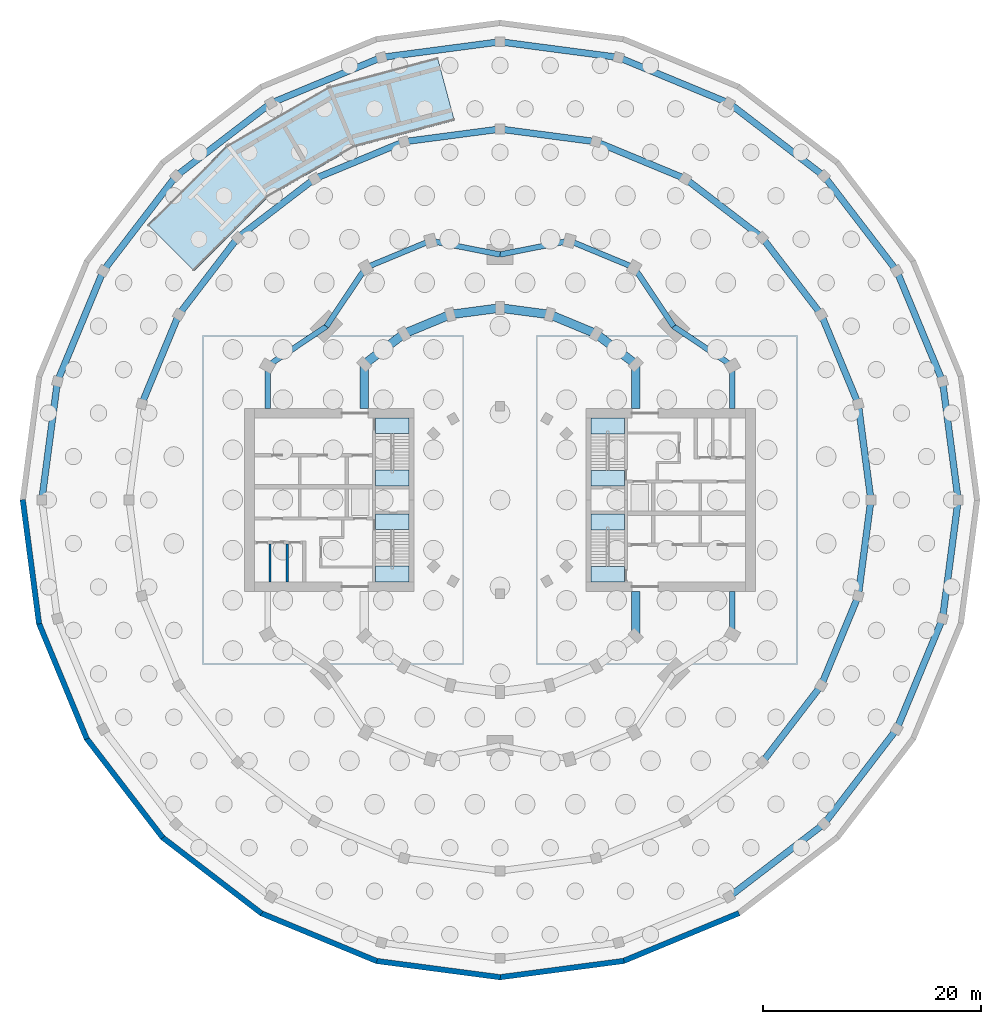
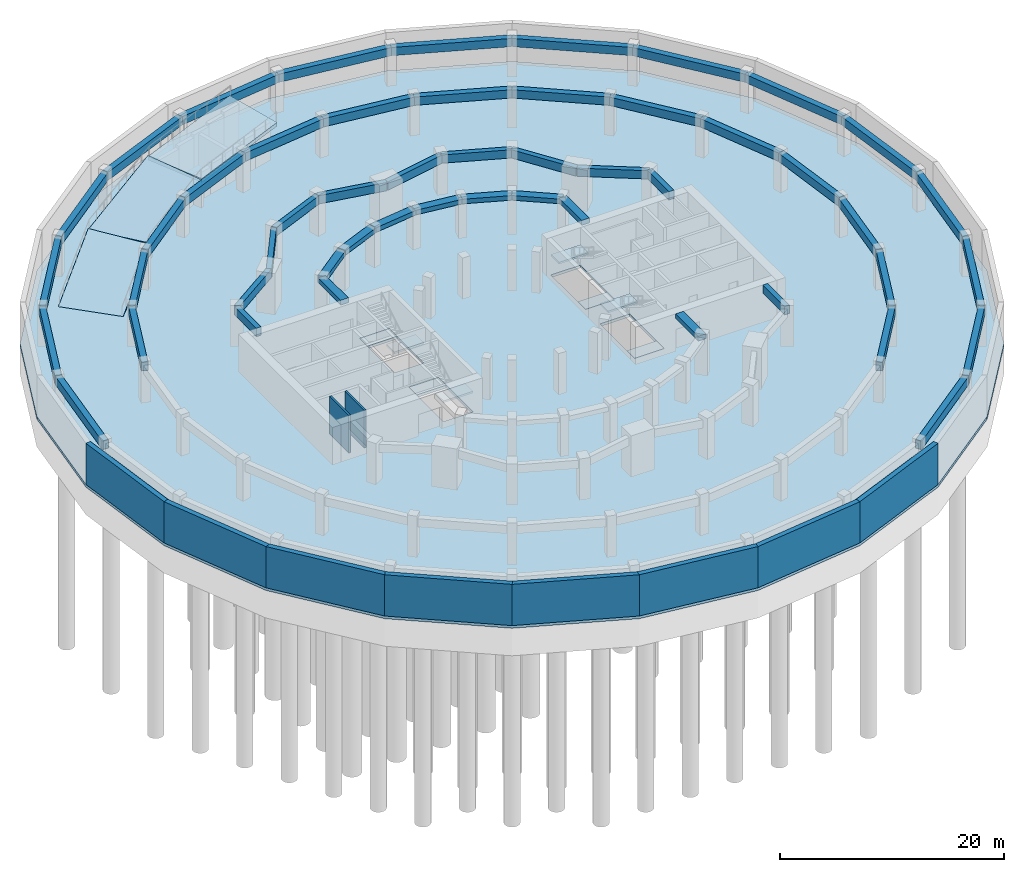
# One storey, part 3 of 9: 50 beams, 12 slabs, 10 walls, 5 elements without a shape of their own.
"""IFC4 building model written with IfcOpenShell, lengths in metres."""

from ifc_helpers import new_model, si_unit, direction, frame, frame_2d, origin, origin_2d, place, context, subcontext, project, spatial, polyline, rectangle, outline, extrude, material, layer, layer_set, material_profile, profile_set, type_object, element, aggregate, save


model = new_model("IFC4")

# Units and contexts
model_context = context("Model", 3, precision=1e-05, world=origin(), true_north=direction((0.0, 1.0)))
body_context = subcontext(model_context, "Body", "Model", "MODEL_VIEW")
ifc_project = project(units=[si_unit("LENGTHUNIT", "METRE"), si_unit("AREAUNIT", "SQUARE_METRE"), si_unit("VOLUMEUNIT", "CUBIC_METRE"), si_unit("PLANEANGLEUNIT", "RADIAN"), si_unit("MASSUNIT", "GRAM", prefix="KILO")], contexts=[model_context])

# Site, building, storey
site_placement = place(None, origin())
site = spatial("IfcSite", under=ifc_project, at=site_placement, CompositionType="ELEMENT")
building_placement = place(site_placement, origin())
building = spatial("IfcBuilding", under=site, at=building_placement, Name="Torre Brocal", CompositionType="ELEMENT")
storey_placement = place(building_placement, frame((0.0, 0.0, -9.0)))
storey = spatial("IfcBuildingStorey", under=building, at=storey_placement, Name="B2", CompositionType="ELEMENT", Elevation=-9.0)

# Beams
ifc_material_1 = material(Name="Concrete C50", Category="concrete")
ifc_material_profile_1 = material_profile(ifc_material_1, rectangle(XDim=0.60009765625, YDim=0.89990234375, at=origin_2d()), Name="RC 600X900")
ifc_profile_set_1 = profile_set([ifc_material_profile_1], Name="Concrete C50")
beam_type_1 = type_object("IfcBeamType", Name="RC BEAM 600X900 C50 TOP 4100", PredefinedType="BEAM", material=ifc_profile_set_1)
for number, where, z_axis, x_axis, name in (
    (1, (122.0, 75.0, 3.64990234375), (-0.130529968843, 0.991444364165, 0.0), (-0.991444364165, -0.130529968843, 0.0), "Beam BT-01"),
    (2, (120.56884765625, 85.870361328125, 3.64990234375), (-0.382680868131, 0.923880594648, 0.0), (-0.923880594648, -0.382680868131, 0.0), "Beam BT-01"),
    (3, (116.373046875, 96.0, 3.64990234375), (-0.608760122032, 0.793354343168, 0.0), (-0.793354343168, -0.608760122032, 0.0), "Beam BT-01"),
    (4, (109.698486328125, 104.698486328125, 3.64990234375), (-0.793354343168, 0.608760122032, 0.0), (-0.608760122032, -0.793354343168, 0.0), "Beam BT-01"),
    (5, (101.0, 111.373046875, 3.64990234375), (-0.923880594648, 0.382680868131, 0.0), (-0.382680868131, -0.923880594648, 0.0), "Beam BT-01"),
    (6, (90.870361328125, 115.56884765625, 3.64990234375), (-0.991444364165, 0.130529968843, 0.0), (-0.130529968843, -0.991444364165, 0.0), "Beam BT-01"),
    (7, (80.0, 117.0, 3.64990234375), (-0.991444364165, -0.130529968843, 0.0), (0.130529968843, -0.991444364165, 0.0), "Beam BT-01"),
    (8, (69.129638671875, 115.56884765625, 3.64990234375), (-0.923880594648, -0.382680868131, 0.0), (0.382680868131, -0.923880594648, 0.0), "Beam BT-01"),
    (9, (59.0, 111.373046875, 3.64990234375), (-0.793354343168, -0.608760122032, 0.0), (0.608760122032, -0.793354343168, 0.0), "Beam BT-01"),
    (10, (50.301513671875, 104.698486328125, 3.64990234375), (-0.608760122032, -0.793354343168, 0.0), (0.793354343168, -0.608760122032, 0.0), "Beam BT-01"),
    (11, (43.626953125, 96.0, 3.64990234375), (-0.382680868131, -0.923880594648, 0.0), (0.923880594648, -0.382680868131, 0.0), "Beam BT-01"),
    (12, (39.43115234375, 85.870361328125, 3.64990234375), (-0.130529968843, -0.991444364165, 0.0), (0.991444364165, -0.130529968843, 0.0), "Beam BT-01"),
    (13, (101.0, 38.626953125, 3.64990234375), (0.793354343168, 0.608760122032, 0.0), (-0.608760122032, 0.793354343168, 0.0), "Beam BT-01"),
    (14, (109.698486328125, 45.301513671875, 3.64990234375), (0.608760122032, 0.793354343168, 0.0), (-0.793354343168, 0.608760122032, 0.0), "Beam BT-01"),
    (15, (116.373046875, 54.0, 3.64990234375), (0.382680868131, 0.923880594648, 0.0), (-0.923880594648, 0.382680868131, 0.0), "Beam BT-01"),
    (16, (120.56884765625, 64.129638671875, 3.64990234375), (0.130529968843, 0.991444364165, 0.0), (-0.991444364165, 0.130529968843, 0.0), "Beam BT-01"),
):
    element("IfcBeam", number, at=place(storey_placement, frame(where, z_axis=z_axis, x_axis=x_axis)), inside=storey, type_object=beam_type_1, Name=name, PredefinedType="BEAM", context=body_context, shape_type="SweptSolid", body=[
        extrude(rectangle(XDim=0.60009765625, YDim=0.89990234375, at=origin_2d()), origin(), (0.0, 0.0, 1.0), 10.964111328125),
    ])
beam_1_placement = place(storey_placement, frame((114.0, 75.0, 3.64990234375), z_axis=(-0.130518550679, 0.991445867372, 0.0), x_axis=(-0.991445867372, -0.130518550679, 0.0)))
element("IfcBeam", 17, at=beam_1_placement, inside=storey, type_object=beam_type_1, Name="Beam BT-01", PredefinedType="BEAM", context=body_context, shape_type="SweptSolid", body=[
    extrude(rectangle(XDim=0.60009765625, YDim=0.89990234375, at=origin_2d()), origin(), (0.0, 0.0, 1.0), 8.875732421875),
])
beam_2_placement = place(storey_placement, frame((112.841552734375, 83.7998046875, 3.64990234375), z_axis=(-0.382692703012, 0.923875692429, 0.0), x_axis=(-0.923875692429, -0.382692703012, 0.0)))
element("IfcBeam", 18, at=beam_2_placement, inside=storey, type_object=beam_type_1, Name="Beam BT-01", PredefinedType="BEAM", context=body_context, shape_type="SweptSolid", body=[
    extrude(rectangle(XDim=0.60009765625, YDim=0.89990234375, at=origin_2d()), origin(), (0.0, 0.0, 1.0), 8.8759765625),
])
for number, where, z_axis, x_axis, name in (
    (19, (109.44482421875, 92.0, 3.64990234375), (-0.608743902882, 0.793366788253, 0.0), (-0.793366788253, -0.608743902882, 0.0), "Beam BT-01"),
    (20, (104.041748046875, 99.041748046875, 3.64990234375), (-0.793366788253, 0.608743902882, 0.0), (-0.608743902882, -0.793366788253, 0.0), "Beam BT-01"),
):
    element("IfcBeam", number, at=place(storey_placement, frame(where, z_axis=z_axis, x_axis=x_axis)), inside=storey, type_object=beam_type_1, Name=name, PredefinedType="BEAM", context=body_context, shape_type="SweptSolid", body=[
        extrude(rectangle(XDim=0.60009765625, YDim=0.89990234375, at=origin_2d()), origin(), (0.0, 0.0, 1.0), 8.875732421875),
    ])
beam_3_placement = place(storey_placement, frame((97.0, 104.44482421875, 3.64990234375), z_axis=(-0.923875692429, 0.382692703012, 0.0), x_axis=(-0.382692703012, -0.923875692429, 0.0)))
element("IfcBeam", 21, at=beam_3_placement, inside=storey, type_object=beam_type_1, Name="Beam BT-01", PredefinedType="BEAM", context=body_context, shape_type="SweptSolid", body=[
    extrude(rectangle(XDim=0.60009765625, YDim=0.89990234375, at=origin_2d()), origin(), (0.0, 0.0, 1.0), 8.8759765625),
])
for number, where, z_axis, x_axis, name in (
    (22, (88.7998046875, 107.841552734375, 3.64990234375), (-0.991445867372, 0.130518550679, 0.0), (-0.130518550679, -0.991445867372, 0.0), "Beam BT-01"),
    (23, (80.0, 109.0, 3.64990234375), (-0.991445867372, -0.130518550679, 0.0), (0.130518550679, -0.991445867372, 0.0), "Beam BT-01"),
):
    element("IfcBeam", number, at=place(storey_placement, frame(where, z_axis=z_axis, x_axis=x_axis)), inside=storey, type_object=beam_type_1, Name=name, PredefinedType="BEAM", context=body_context, shape_type="SweptSolid", body=[
        extrude(rectangle(XDim=0.60009765625, YDim=0.89990234375, at=origin_2d()), origin(), (0.0, 0.0, 1.0), 8.875732421875),
    ])
beam_4_placement = place(storey_placement, frame((71.2001953125, 107.841552734375, 3.64990234375), z_axis=(-0.923875692429, -0.382692703012, 0.0), x_axis=(0.382692703012, -0.923875692429, 0.0)))
element("IfcBeam", 24, at=beam_4_placement, inside=storey, type_object=beam_type_1, Name="Beam BT-01", PredefinedType="BEAM", context=body_context, shape_type="SweptSolid", body=[
    extrude(rectangle(XDim=0.60009765625, YDim=0.89990234375, at=origin_2d()), origin(), (0.0, 0.0, 1.0), 8.8759765625),
])
for number, where, z_axis, x_axis, name in (
    (25, (63.0, 104.44482421875, 3.64990234375), (-0.793366788253, -0.608743902882, 0.0), (0.608743902882, -0.793366788253, 0.0), "Beam BT-01"),
    (26, (55.958251953125, 99.041748046875, 3.64990234375), (-0.608743902882, -0.793366788253, 0.0), (0.793366788253, -0.608743902882, 0.0), "Beam BT-01"),
):
    element("IfcBeam", number, at=place(storey_placement, frame(where, z_axis=z_axis, x_axis=x_axis)), inside=storey, type_object=beam_type_1, Name=name, PredefinedType="BEAM", context=body_context, shape_type="SweptSolid", body=[
        extrude(rectangle(XDim=0.60009765625, YDim=0.89990234375, at=origin_2d()), origin(), (0.0, 0.0, 1.0), 8.875732421875),
    ])
beam_5_placement = place(storey_placement, frame((50.55517578125, 92.0, 3.64990234375), z_axis=(-0.382692703012, -0.923875692429, 0.0), x_axis=(0.923875692429, -0.382692703012, 0.0)))
element("IfcBeam", 27, at=beam_5_placement, inside=storey, type_object=beam_type_1, Name="Beam BT-01", PredefinedType="BEAM", context=body_context, shape_type="SweptSolid", body=[
    extrude(rectangle(XDim=0.60009765625, YDim=0.89990234375, at=origin_2d()), origin(), (0.0, 0.0, 1.0), 8.8759765625),
])
beam_6_placement = place(storey_placement, frame((104.041748046875, 50.958251953125, 3.64990234375), z_axis=(0.608743902882, 0.793366788253, 0.0), x_axis=(-0.793366788253, 0.608743902882, 0.0)))
element("IfcBeam", 28, at=beam_6_placement, inside=storey, type_object=beam_type_1, Name="Beam BT-01", PredefinedType="BEAM", context=body_context, shape_type="SweptSolid", body=[
    extrude(rectangle(XDim=0.60009765625, YDim=0.89990234375, at=origin_2d()), origin(), (0.0, 0.0, 1.0), 8.875732421875),
])
beam_7_placement = place(storey_placement, frame((109.44482421875, 58.0, 3.64990234375), z_axis=(0.382692703012, 0.923875692429, 0.0), x_axis=(-0.923875692429, 0.382692703012, 0.0)))
element("IfcBeam", 29, at=beam_7_placement, inside=storey, type_object=beam_type_1, Name="Beam BT-01", PredefinedType="BEAM", context=body_context, shape_type="SweptSolid", body=[
    extrude(rectangle(XDim=0.60009765625, YDim=0.89990234375, at=origin_2d()), origin(), (0.0, 0.0, 1.0), 8.8759765625),
])
beam_8_placement = place(storey_placement, frame((112.841552734375, 66.2001953125, 3.64990234375), z_axis=(0.130518550679, 0.991445867372, 0.0), x_axis=(-0.991445867372, 0.130518550679, 0.0)))
element("IfcBeam", 30, at=beam_8_placement, inside=storey, type_object=beam_type_1, Name="Beam BT-01", PredefinedType="BEAM", context=body_context, shape_type="SweptSolid", body=[
    extrude(rectangle(XDim=0.60009765625, YDim=0.89990234375, at=origin_2d()), origin(), (0.0, 0.0, 1.0), 8.875732421875),
])
ifc_material_2 = material(Name="Concrete C50", Category="concrete")
ifc_material_profile_2 = material_profile(ifc_material_2, rectangle(XDim=0.800048828125, YDim=0.5, at=origin_2d()), Name="RC 800X500")
ifc_profile_set_2 = profile_set([ifc_material_profile_2], Name="Concrete C50")
beam_type_2 = type_object("IfcBeamType", Name="RC BEAM 800X500 C50 TOP 4100", PredefinedType="BEAM", material=ifc_profile_set_2)
beam_9_placement = place(storey_placement, frame((92.445068359375, 87.445068359375, 3.85009765625), z_axis=(-0.793358265959, 0.6087550097, 0.0), x_axis=(-0.6087550097, -0.793358265959, 0.0)))
element("IfcBeam", 31, at=beam_9_placement, inside=storey, type_object=beam_type_2, Name="Beam BT-02", PredefinedType="BEAM", context=body_context, shape_type="SweptSolid", body=[
    extrude(rectangle(XDim=0.800048828125, YDim=0.5, at=origin_2d()), origin(), (0.0, 0.0, 1.0), 4.594482421875),
])
beam_10_placement = place(storey_placement, frame((88.800048828125, 90.241943359375, 3.85009765625), z_axis=(-0.923878240166, 0.382686552348, 0.0), x_axis=(-0.382686552348, -0.923878240166, 0.0)))
element("IfcBeam", 32, at=beam_10_placement, inside=storey, type_object=beam_type_2, Name="Beam BT-02", PredefinedType="BEAM", context=body_context, shape_type="SweptSolid", body=[
    extrude(rectangle(XDim=0.800048828125, YDim=0.5, at=origin_2d()), origin(), (0.0, 0.0, 1.0), 4.5947265625),
])
for number, where, z_axis, x_axis, name in (
    (33, (84.55517578125, 92.000244140625, 3.85009765625), (-0.991440544449, 0.130558978332, 0.0), (-0.130558978332, -0.991440544449, 0.0), "Beam BT-02"),
    (34, (80.0, 92.60009765625, 3.85009765625), (-0.991440544449, -0.130558978332, 0.0), (0.130558978332, -0.991440544449, 0.0), "Beam BT-02"),
):
    element("IfcBeam", number, at=place(storey_placement, frame(where, z_axis=z_axis, x_axis=x_axis)), inside=storey, type_object=beam_type_2, Name=name, PredefinedType="BEAM", context=body_context, shape_type="SweptSolid", body=[
        extrude(rectangle(XDim=0.800048828125, YDim=0.5, at=origin_2d()), origin(), (0.0, 0.0, 1.0), 4.594482421875),
    ])
beam_11_placement = place(storey_placement, frame((75.44482421875, 92.000244140625, 3.85009765625), z_axis=(-0.923878240166, -0.382686552348, 0.0), x_axis=(0.382686552348, -0.923878240166, 0.0)))
element("IfcBeam", 35, at=beam_11_placement, inside=storey, type_object=beam_type_2, Name="Beam BT-02", PredefinedType="BEAM", context=body_context, shape_type="SweptSolid", body=[
    extrude(rectangle(XDim=0.800048828125, YDim=0.5, at=origin_2d()), origin(), (0.0, 0.0, 1.0), 4.5947265625),
])
beam_12_placement = place(storey_placement, frame((71.199951171875, 90.241943359375, 3.85009765625), z_axis=(-0.793358265959, -0.6087550097, 0.0), x_axis=(0.6087550097, -0.793358265959, 0.0)))
element("IfcBeam", 36, at=beam_12_placement, inside=storey, type_object=beam_type_2, Name="Beam BT-02", PredefinedType="BEAM", context=body_context, shape_type="SweptSolid", body=[
    extrude(rectangle(XDim=0.800048828125, YDim=0.5, at=origin_2d()), origin(), (0.0, 0.0, 1.0), 4.594482421875),
])
for number, where, z_axis, x_axis, name in (
    (37, (67.554931640625, 87.445068359375, 3.85009765625), (0.0, -1.0, 0.0), (1.0, 0.0, 0.0), "Beam BT-02"),
    (38, (92.445068359375, 62.554931640625, 3.85009765625), (0.0, 1.0, 0.0), (-1.0, 0.0, 0.0), "Beam BT-02"),
    (39, (92.445068359375, 87.445068359375, 3.85009765625), (0.0, -1.0, 0.0), (1.0, 0.0, 0.0), "Beam BT-02"),
):
    element("IfcBeam", number, at=place(storey_placement, frame(where, z_axis=z_axis, x_axis=x_axis)), inside=storey, type_object=beam_type_2, Name=name, PredefinedType="BEAM", context=body_context, shape_type="SweptSolid", body=[
        extrude(rectangle(XDim=0.800048828125, YDim=0.5, at=origin_2d()), origin(), (0.0, 0.0, 1.0), 4.045166015625),
    ])
ifc_material_3 = material(Name="Concrete C50", Category="concrete")
ifc_material_profile_3 = material_profile(ifc_material_3, rectangle(XDim=0.5, YDim=0.89990234375, at=origin_2d()), Name="RC 500X900")
ifc_profile_set_3 = profile_set([ifc_material_profile_3], Name="Concrete C50")
beam_type_3 = type_object("IfcBeamType", Name="RC SPANDREL BEAM 500X900 C50 TOP 4100", PredefinedType="SPANDREL", material=ifc_profile_set_3)
for number, where, z_axis, x_axis, name in (
    (40, (101.30419921875, 87.300048828125, 3.64990234375), (-0.831076844476, 0.556157602282, 0.0), (-0.556157602282, -0.831076844476, 0.0), "Beam BT-03"),
    (41, (95.909912109375, 90.909912109375, 3.64990234375), (-0.556157602282, 0.831076844476, 0.0), (-0.831076844476, -0.556157602282, 0.0), "Beam BT-03"),
):
    element("IfcBeam", number, at=place(storey_placement, frame(where, z_axis=z_axis, x_axis=x_axis)), inside=storey, type_object=beam_type_3, Name=name, PredefinedType="SPANDREL", context=body_context, shape_type="SweptSolid", body=[
        extrude(rectangle(XDim=0.5, YDim=0.89990234375, at=origin_2d()), origin(), (0.0, 0.0, 1.0), 6.49072265625),
    ])
beam_13_placement = place(storey_placement, frame((92.300048828125, 96.30419921875, 3.64990234375), z_axis=(-0.923882462513, 0.382676358639, 0.0), x_axis=(-0.382676358639, -0.923882462513, 0.0)))
element("IfcBeam", 42, at=beam_13_placement, inside=storey, type_object=beam_type_3, Name="Beam BT-03", PredefinedType="SPANDREL", context=body_context, shape_type="SweptSolid", body=[
    extrude(rectangle(XDim=0.5, YDim=0.89990234375, at=origin_2d()), origin(), (0.0, 0.0, 1.0), 6.421875),
])
for number, where, z_axis, x_axis, name in (
    (43, (86.366943359375, 98.76171875, 3.64990234375), (-0.980924907484, -0.194387051723, 0.0), (0.194387051723, -0.980924907484, 0.0), "Beam BT-03"),
    (44, (80.0, 97.5, 3.64990234375), (-0.980924907484, 0.194387051723, 0.0), (-0.194387051723, -0.980924907484, 0.0), "Beam BT-03"),
):
    element("IfcBeam", number, at=place(storey_placement, frame(where, z_axis=z_axis, x_axis=x_axis)), inside=storey, type_object=beam_type_3, Name=name, PredefinedType="SPANDREL", context=body_context, shape_type="SweptSolid", body=[
        extrude(rectangle(XDim=0.5, YDim=0.89990234375, at=origin_2d()), origin(), (0.0, 0.0, 1.0), 6.49072265625),
    ])
beam_14_placement = place(storey_placement, frame((73.633056640625, 98.76171875, 3.64990234375), z_axis=(-0.923882462513, -0.382676358639, 0.0), x_axis=(0.382676358639, -0.923882462513, 0.0)))
element("IfcBeam", 45, at=beam_14_placement, inside=storey, type_object=beam_type_3, Name="Beam BT-03", PredefinedType="SPANDREL", context=body_context, shape_type="SweptSolid", body=[
    extrude(rectangle(XDim=0.5, YDim=0.89990234375, at=origin_2d()), origin(), (0.0, 0.0, 1.0), 6.421875),
])
for number, where, z_axis, x_axis, name in (
    (46, (67.699951171875, 96.30419921875, 3.64990234375), (-0.556157602282, -0.831076844476, 0.0), (0.831076844476, -0.556157602282, 0.0), "Beam BT-03"),
    (47, (64.090087890625, 90.909912109375, 3.64990234375), (-0.831076844476, -0.556157602282, 0.0), (0.556157602282, -0.831076844476, 0.0), "Beam BT-03"),
):
    element("IfcBeam", number, at=place(storey_placement, frame(where, z_axis=z_axis, x_axis=x_axis)), inside=storey, type_object=beam_type_3, Name=name, PredefinedType="SPANDREL", context=body_context, shape_type="SweptSolid", body=[
        extrude(rectangle(XDim=0.5, YDim=0.89990234375, at=origin_2d()), origin(), (0.0, 0.0, 1.0), 6.49072265625),
    ])
for number, where, z_axis, x_axis, name in (
    (48, (58.69580078125, 87.300048828125, 3.64990234375), (0.0, -1.0, 0.0), (1.0, 0.0, 0.0), "Beam BT-03"),
    (49, (101.30419921875, 62.699951171875, 3.64990234375), (0.0, 1.0, 0.0), (-1.0, 0.0, 0.0), "Beam BT-03"),
    (50, (101.30419921875, 87.300048828125, 3.64990234375), (0.0, -1.0, 0.0), (1.0, 0.0, 0.0), "Beam BT-03"),
):
    element("IfcBeam", number, at=place(storey_placement, frame(where, z_axis=z_axis, x_axis=x_axis)), inside=storey, type_object=beam_type_3, Name=name, PredefinedType="SPANDREL", context=body_context, shape_type="SweptSolid", body=[
        extrude(rectangle(XDim=0.5, YDim=0.89990234375, at=origin_2d()), origin(), (0.0, 0.0, 1.0), 3.900146484375),
    ])

# Slab
ifc_material_4 = material(Name="Concrete C45", Category="concrete")
ifc_layer_1 = layer(ifc_material_4, 0.300048828125)
ifc_layer_set_1 = layer_set([ifc_layer_1], Name="Concrete C45")
slab_type_1 = type_object("IfcSlabType", Name="BASE SLAB 300 C45", PredefinedType="BASESLAB", material=ifc_layer_set_1)
slab_1_placement = place(storey_placement, frame((0.0, 0.0, -0.300048828125)))
element("IfcSlab", 51, at=slab_1_placement, inside=storey, type_object=slab_type_1, Name="Slab ST-15", PredefinedType="BASESLAB", context=body_context, shape_type="SweptSolid", body=[
    extrude(outline(polyline([(118.096435546875, 53.005126953125), (111.10546875, 43.89453125), (101.994873046875, 36.903564453125), (91.385498046875, 32.509033203125), (80.0, 31.010009765625), (68.614501953125, 32.509033203125), (58.005126953125, 36.903564453125), (48.89453125, 43.89453125), (41.903564453125, 53.005126953125), (37.509033203125, 63.614501953125), (36.010009765625, 75.0), (37.509033203125, 86.385498046875), (41.903564453125, 96.994873046875), (48.89453125, 106.10546875), (58.005126953125, 113.096435546875), (68.614501953125, 117.490966796875), (80.0, 118.989990234375), (91.385498046875, 117.490966796875), (101.994873046875, 113.096435546875), (111.10546875, 106.10546875), (118.096435546875, 96.994873046875), (122.490966796875, 86.385498046875), (123.989990234375, 75.0), (122.490966796875, 63.614501953125), (118.096435546875, 53.005126953125)]), holes=[polyline([(88.35009765625, 67.5), (91.39990234375, 67.5), (91.39990234375, 73.699951171875), (88.35009765625, 73.699951171875), (88.35009765625, 67.5)]), polyline([(88.35009765625, 76.300048828125), (91.39990234375, 76.300048828125), (91.39990234375, 82.5), (88.35009765625, 82.5), (88.35009765625, 76.300048828125)]), polyline([(71.64990234375, 73.699951171875), (68.60009765625, 73.699951171875), (68.60009765625, 67.5), (71.64990234375, 67.5), (71.64990234375, 73.699951171875)]), polyline([(71.64990234375, 82.5), (68.60009765625, 82.5), (68.60009765625, 76.300048828125), (71.64990234375, 76.300048828125), (71.64990234375, 82.5)])]), origin(), (0.0, 0.0, 1.0), 0.300048828125),
])

# Stair, slab
ifc_material_5 = material(Name="Concrete C50", Category="concrete")
stair_type = type_object("IfcStairType", Name="EXIT STAIR", PredefinedType="HALF_TURN_STAIR", material=ifc_material_5)
stair_1_placement = place(storey_placement, origin())
stair_1 = element("IfcStair", 52, at=stair_1_placement, inside=storey, type_object=stair_type, Name="EXIT STAIR ST1", PredefinedType="HALF_TURN_STAIR")
ifc_material_6 = material(Name="Concrete C50", Category="concrete")
ifc_layer_2 = layer(ifc_material_6, 0.300048828125)
ifc_layer_set_2 = layer_set([ifc_layer_2], Name="Concrete C50")
slab_type_2 = type_object("IfcSlabType", Name="FLOOR LANDING 300", PredefinedType="LANDING", material=ifc_layer_set_2)
slab_2_placement = place(storey_placement, frame((0.0, 0.0, -0.300048828125)))
slab_2 = element("IfcSlab", 53, at=slab_2_placement, type_object=slab_type_2, Name="ST1 landing 1", PredefinedType="LANDING", context=body_context, shape_type="SweptSolid", body=[
    extrude(outline(polyline([(88.35009765625, 76.300048828125), (91.39990234375, 76.300048828125), (91.39990234375, 77.699951171875), (88.35009765625, 77.699951171875), (88.35009765625, 76.300048828125)])), origin(), (0.0, 0.0, 1.0), 0.300048828125),
])

stair_2_placement = place(storey_placement, origin())
stair_2 = element("IfcStair", 54, at=stair_2_placement, inside=storey, type_object=stair_type, Name="EXIT STAIR ST2", PredefinedType="HALF_TURN_STAIR")
slab_3_placement = place(storey_placement, frame((0.0, 0.0, -0.300048828125)))
slab_3 = element("IfcSlab", 55, at=slab_3_placement, type_object=slab_type_2, Name="ST2 landing 1", PredefinedType="LANDING", context=body_context, shape_type="SweptSolid", body=[
    extrude(outline(polyline([(88.35009765625, 67.5), (91.39990234375, 67.5), (91.39990234375, 68.89990234375), (88.35009765625, 68.89990234375), (88.35009765625, 67.5)])), origin(), (0.0, 0.0, 1.0), 0.300048828125),
])

stair_3_placement = place(storey_placement, origin())
stair_3 = element("IfcStair", 56, at=stair_3_placement, inside=storey, type_object=stair_type, Name="EXIT STAIR ST3", PredefinedType="HALF_TURN_STAIR")
slab_4_placement = place(storey_placement, frame((0.0, 0.0, -0.300048828125)))
slab_4 = element("IfcSlab", 57, at=slab_4_placement, type_object=slab_type_2, Name="ST3 landing 1", PredefinedType="LANDING", context=body_context, shape_type="SweptSolid", body=[
    extrude(outline(polyline([(71.64990234375, 73.699951171875), (68.60009765625, 73.699951171875), (68.60009765625, 72.300048828125), (71.64990234375, 72.300048828125), (71.64990234375, 73.699951171875)])), origin(), (0.0, 0.0, 1.0), 0.300048828125),
])

stair_4_placement = place(storey_placement, origin())
stair_4 = element("IfcStair", 58, at=stair_4_placement, inside=storey, type_object=stair_type, Name="EXIT STAIR ST4", PredefinedType="HALF_TURN_STAIR")
slab_5_placement = place(storey_placement, frame((0.0, 0.0, -0.300048828125)))
slab_5 = element("IfcSlab", 59, at=slab_5_placement, type_object=slab_type_2, Name="ST4 landing 1", PredefinedType="LANDING", context=body_context, shape_type="SweptSolid", body=[
    extrude(outline(polyline([(71.64990234375, 82.5), (68.60009765625, 82.5), (68.60009765625, 81.10009765625), (71.64990234375, 81.10009765625), (71.64990234375, 82.5)])), origin(), (0.0, 0.0, 1.0), 0.300048828125),
])

# Slab
ifc_material_7 = material(Name="Concrete C50", Category="concrete")
ifc_layer_3 = layer(ifc_material_7, 0.199951171875)
ifc_layer_set_3 = layer_set([ifc_layer_3], Name="Concrete C50")
slab_type_3 = type_object("IfcSlabType", Name="MID LANDING +2250", PredefinedType="LANDING", material=ifc_layer_set_3)
slab_6_placement = place(storey_placement, frame((0.0, 0.0, 2.050048828125)))
slab_6 = element("IfcSlab", 60, at=slab_6_placement, type_object=slab_type_3, Name="ST1 landing 2", PredefinedType="LANDING", context=body_context, shape_type="SweptSolid", body=[
    extrude(outline(polyline([(88.35009765625, 81.06005859375), (91.39990234375, 81.06005859375), (91.39990234375, 82.5), (88.35009765625, 82.5), (88.35009765625, 81.06005859375)])), origin(), (0.0, 0.0, 1.0), 0.199951171875),
])

aggregate(stair_1, [slab_2, slab_6])

slab_7_placement = place(storey_placement, frame((0.0, 0.0, 2.050048828125)))
slab_7 = element("IfcSlab", 61, at=slab_7_placement, type_object=slab_type_3, Name="ST2 landing 2", PredefinedType="LANDING", context=body_context, shape_type="SweptSolid", body=[
    extrude(outline(polyline([(88.35009765625, 72.260009765625), (91.39990234375, 72.260009765625), (91.39990234375, 73.699951171875), (88.35009765625, 73.699951171875), (88.35009765625, 72.260009765625)])), origin(), (0.0, 0.0, 1.0), 0.199951171875),
])

aggregate(stair_2, [slab_3, slab_7])

slab_8_placement = place(storey_placement, frame((0.0, 0.0, 2.050048828125)))
slab_8 = element("IfcSlab", 62, at=slab_8_placement, type_object=slab_type_3, Name="ST3 landing 2", PredefinedType="LANDING", context=body_context, shape_type="SweptSolid", body=[
    extrude(outline(polyline([(71.64990234375, 68.93994140625), (68.60009765625, 68.93994140625), (68.60009765625, 67.5), (71.64990234375, 67.5), (71.64990234375, 68.93994140625)])), origin(), (0.0, 0.0, 1.0), 0.199951171875),
])

aggregate(stair_3, [slab_4, slab_8])

slab_9_placement = place(storey_placement, frame((0.0, 0.0, 2.050048828125)))
slab_9 = element("IfcSlab", 63, at=slab_9_placement, type_object=slab_type_3, Name="ST4 landing 2", PredefinedType="LANDING", context=body_context, shape_type="SweptSolid", body=[
    extrude(outline(polyline([(71.64990234375, 77.739990234375), (68.60009765625, 77.739990234375), (68.60009765625, 76.300048828125), (71.64990234375, 76.300048828125), (71.64990234375, 77.739990234375)])), origin(), (0.0, 0.0, 1.0), 0.199951171875),
])

aggregate(stair_4, [slab_5, slab_9])

# Assembly, slabs
assembly_placement = place(storey_placement, origin())
assembly = element("IfcElementAssembly", 64, at=assembly_placement, inside=storey, Name="Element Assembly RP-3", ObjectType="VEHICLE RAMP", PredefinedType="USERDEFINED")
ifc_material_8 = material(Name="Concrete C45", Category="concrete")
ifc_layer_4 = layer(ifc_material_8, 0.39990234375)
ifc_layer_set_4 = layer_set([ifc_layer_4], Name="Concrete C45")
slab_type_4 = type_object("IfcSlabType", Name="VEHICLE RAMP SLAB RP-3.1", PredefinedType="USERDEFINED", material=ifc_layer_set_4)
slab_10_placement = place(storey_placement, frame((75.81640625, 109.777099609375, 4.5), z_axis=(-0.144420621352, -0.038681442586, 0.98876004679), x_axis=(-0.258822540833, 0.965924889469, -1.612526e-05)))
slab_10 = element("IfcSlab", 65, at=slab_10_placement, type_object=slab_type_4, Name="VEHICLE RAMP SLAB RP-3.1", ObjectType="VEHICLE RAMP SLAB", PredefinedType="USERDEFINED", context=body_context, shape_type="SweptSolid", body=[
    extrude(outline(polyline([(0.0, 0.0), (6.0001125813857215, -2.220446049250313e-16), (6.000176607102843, 10.432119609620479), (-2.1230385165330198e-05, 9.633279947885246), (0.0, 0.0)])), origin(), (1.612526e-05, 0.14951110197, -0.98876004679), 0.404541015625),
])
ifc_material_9 = material(Name="Concrete C45", Category="concrete")
ifc_layer_5 = layer(ifc_material_9, 0.39990234375)
ifc_layer_set_5 = layer_set([ifc_layer_5], Name="Concrete C45")
slab_type_5 = type_object("IfcSlabType", Name="VEHICLE RAMP SLAB RP-3.2", PredefinedType="USERDEFINED", material=ifc_layer_set_5)
slab_11_placement = place(storey_placement, frame((66.615966796875, 107.311767578125, 2.940185546875), z_axis=(-0.129479664422, -0.074756195088, 0.98876009618), x_axis=(-0.382594208863, 0.923705660055, 0.019736385832)))
slab_11 = element("IfcSlab", 66, at=slab_11_placement, type_object=slab_type_5, Name="VEHICLE RAMP SLAB RP-3.2", ObjectType="VEHICLE RAMP SLAB", PredefinedType="USERDEFINED", context=body_context, shape_type="SweptSolid", body=[
    extrude(outline(polyline([(0.0, 0.0), (6.053141240460417, -1.0061396160665481e-16), (4.62336718227398, 10.73699688167208), (-1.2188334738664293, 9.152872204032656), (0.0, 0.0)])), origin(), (-0.019736385832, 0.148202386206, -0.98876009618), 0.404541015625),
])
ifc_material_10 = material(Name="Concrete C45", Category="concrete")
ifc_layer_6 = layer(ifc_material_10, 0.39990234375)
ifc_layer_set_6 = layer_set([ifc_layer_6], Name="Concrete C45")
slab_type_6 = type_object("IfcSlabType", Name="VEHICLE RAMP SLAB RP-3.3", PredefinedType="USERDEFINED", material=ifc_layer_set_6)
slab_12_placement = place(storey_placement, frame((58.709228515625, 102.746826171875, 1.440185546875), z_axis=(-0.105705793575, -0.10573263369, 0.988760282059), x_axis=(-0.608659969824, 0.793185370178, 0.019748662462)))
slab_12 = element("IfcSlab", 67, at=slab_12_placement, type_object=slab_type_6, Name="VEHICLE RAMP SLAB RP-3.3", ObjectType="VEHICLE RAMP SLAB", PredefinedType="USERDEFINED", context=body_context, shape_type="SweptSolid", body=[
    extrude(outline(polyline([(0.0, 0.0), (6.053161117955531, -8.673617379884035e-17), (4.676290091238794, 10.341032941759858), (-1.2710915330747528, 9.549088614673424), (0.0, 0.0)])), origin(), (-0.019748662462, 0.148199510638, -0.988760282059), 0.404541015625),
])
aggregate(assembly, [slab_10, slab_11, slab_12])

# Walls
ifc_material_11 = material(Name="Masonry block", Category="masonry")
ifc_layer_7 = layer(ifc_material_11, 0.199951171875)
ifc_layer_set_7 = layer_set([ifc_layer_7], Name="Masonry block")
wall_type_1 = type_object("IfcWallType", Name="CORE PARTITION 200 UNDER 400 SLAB", PredefinedType="PARTITIONING", material=ifc_layer_set_7)
for number, where, z_axis, x_axis, name in (
    (68, (60.491943359375, 70.949951171875, 0.0), (0.0, 0.0, 1.0), (0.0, -1.0, 0.0), "Wall CP200-S400"),
    (69, (58.907958984375, 70.949951171875, 0.0), (0.0, 0.0, 1.0), (0.0, -1.0, 0.0), "Wall CP200-S400"),
):
    element("IfcWall", number, at=place(storey_placement, frame(where, z_axis=z_axis, x_axis=x_axis)), inside=storey, type_object=wall_type_1, Name=name, PredefinedType="PARTITIONING", context=body_context, shape_type="SweptSolid", body=[
        extrude(rectangle(XDim=3.449951171875, YDim=0.199951171875, at=frame_2d((1.72509765625, 0.0))), origin(), (0.0, 0.0, 1.0), 4.10009765625),
    ])
ifc_material_12 = material(Name="Concrete C45", Category="concrete")
ifc_layer_8 = layer(ifc_material_12, 0.5)
ifc_layer_set_8 = layer_set([ifc_layer_8], Name="Concrete C45")
wall_type_2 = type_object("IfcWallType", Name="RC RETAINING WALL 500 C45", PredefinedType="STANDARD", material=ifc_layer_set_8)
wall_1_placement = place(storey_placement, frame((36.247802734375, 75.03271484375, 0.0), z_axis=(0.0, 0.0, 1.0), x_axis=(0.130524888474, -0.991445033014, 0.0)))
element("IfcWall", 70, at=wall_1_placement, inside=storey, type_object=wall_type_2, Name="Wall RW-1", PredefinedType="STANDARD", context=body_context, shape_type="SweptSolid", body=[
    extrude(rectangle(XDim=11.486328125, YDim=0.5, at=frame_2d((5.7431640625, 0.0))), origin(), (0.0, 0.0, 1.0), 4.5),
])
for number, where, z_axis, x_axis, name in (
    (71, (37.730224609375, 63.70751953125, 0.0), (0.0, 0.0, 1.0), (0.382679682269, -0.923881085843, 0.0), "Wall RW-1"),
    (72, (42.09326171875, 53.152099609375, 0.0), (0.0, 0.0, 1.0), (0.608768387966, -0.793348000447, 0.0), "Wall RW-1"),
    (73, (49.03955078125, 44.085693359375, 0.0), (0.0, 0.0, 1.0), (0.793348000447, -0.608768387966, 0.0), "Wall RW-1"),
    (74, (58.095703125, 37.125732421875, 0.0), (0.0, 0.0, 1.0), (0.923881085843, -0.382679682269, 0.0), "Wall RW-1"),
):
    element("IfcWall", number, at=place(storey_placement, frame(where, z_axis=z_axis, x_axis=x_axis)), inside=storey, type_object=wall_type_2, Name=name, PredefinedType="STANDARD", context=body_context, shape_type="SweptSolid", body=[
        extrude(rectangle(XDim=11.486083984375, YDim=0.5, at=frame_2d((5.7431640625, 0.0))), origin(), (0.0, 0.0, 1.0), 4.5),
    ])
for number, where, z_axis, x_axis, name in (
    (75, (68.64453125, 32.7470703125, 0.0), (0.0, 0.0, 1.0), (0.991445033014, -0.130524888474, 0.0), "Wall RW-1"),
    (76, (79.96728515625, 31.247802734375, 0.0), (0.0, 0.0, 1.0), (0.991445033014, 0.130524888474, 0.0), "Wall RW-1"),
):
    element("IfcWall", number, at=place(storey_placement, frame(where, z_axis=z_axis, x_axis=x_axis)), inside=storey, type_object=wall_type_2, Name=name, PredefinedType="STANDARD", context=body_context, shape_type="SweptSolid", body=[
        extrude(rectangle(XDim=11.486328125, YDim=0.5, at=frame_2d((5.7431640625, 0.0))), origin(), (0.0, 0.0, 1.0), 4.5),
    ])
wall_2_placement = place(storey_placement, frame((91.29248046875, 32.730224609375, 0.0), z_axis=(0.0, 0.0, 1.0), x_axis=(0.923881085843, 0.382679682269, 0.0)))
element("IfcWall", 77, at=wall_2_placement, inside=storey, type_object=wall_type_2, Name="Wall RW-1", PredefinedType="STANDARD", context=body_context, shape_type="SweptSolid", body=[
    extrude(rectangle(XDim=11.486083984375, YDim=0.5, at=frame_2d((5.7431640625, 0.0))), origin(), (0.0, 0.0, 1.0), 4.5),
])

save(model, "model.ifc")
